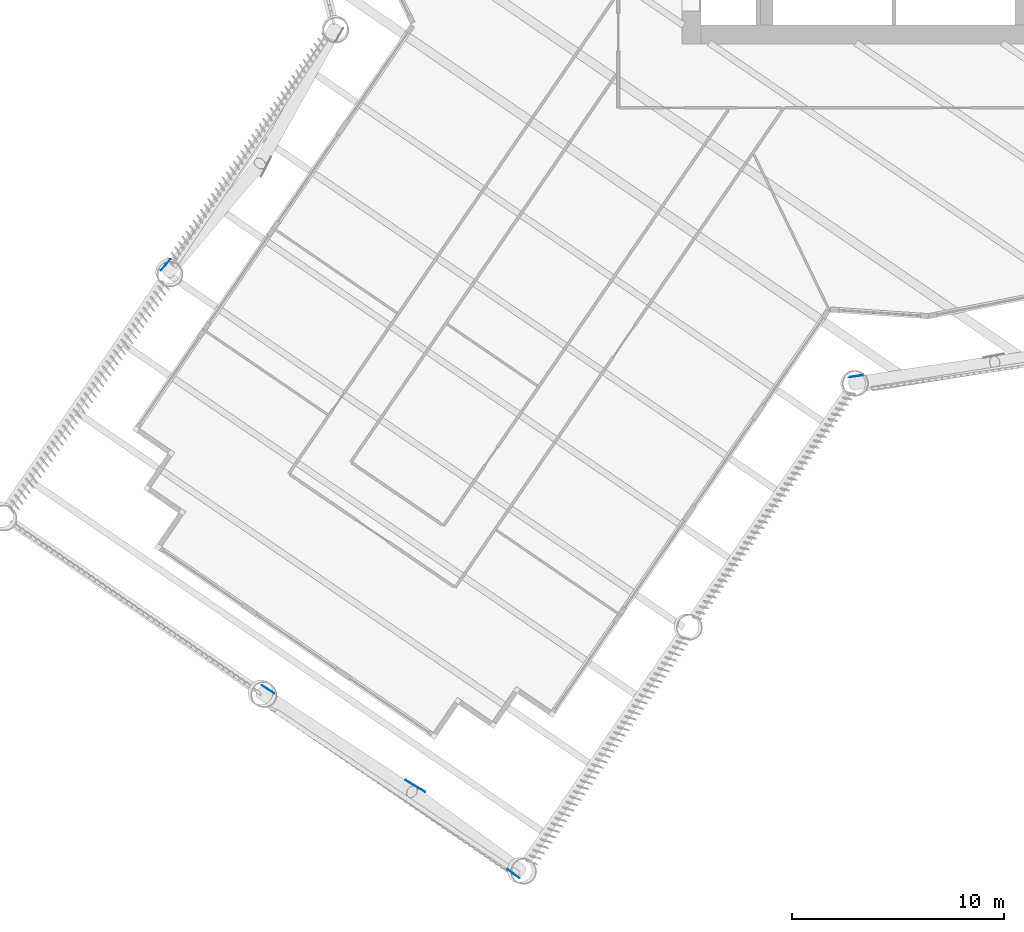
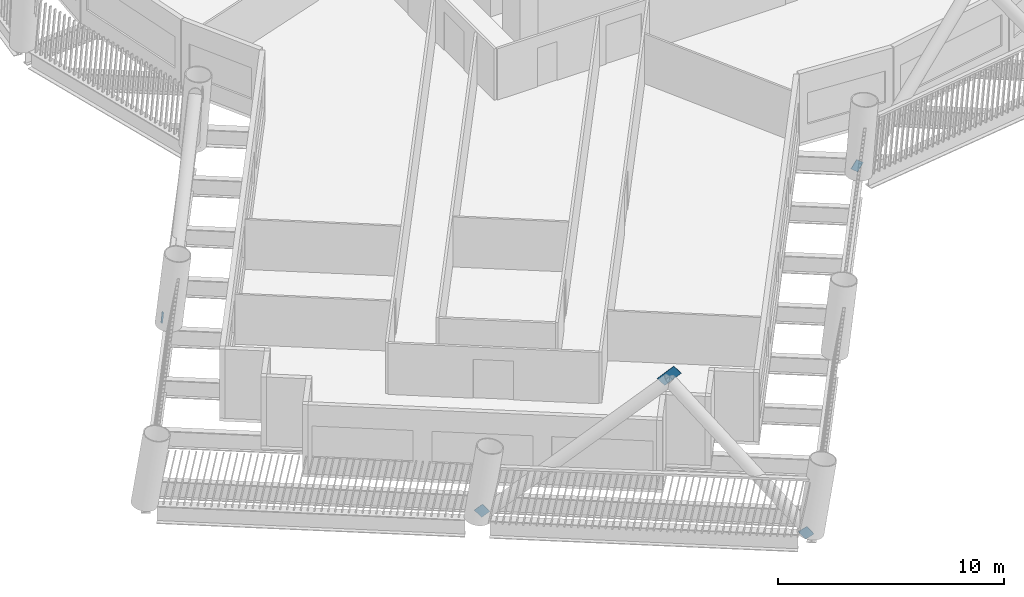
# One storey, part 8 of 22: 5 discrete accessories.
"""IFC4 building model written with IfcOpenShell, lengths in metres."""

from ifc_helpers import new_model, si_unit, direction, frame, origin, origin_2d, place, context, subcontext, project, spatial, rectangle, extrude, material, material_profile, profile_set, type_object, element, save


model = new_model("IFC4")

# Units and contexts
model_context = context("Model", 3, precision=1e-05, world=origin(), true_north=direction((0.0, 1.0)))
body_context = subcontext(model_context, "Body", "Model", "MODEL_VIEW")
ifc_project = project(units=[si_unit("LENGTHUNIT", "METRE"), si_unit("AREAUNIT", "SQUARE_METRE"), si_unit("VOLUMEUNIT", "CUBIC_METRE"), si_unit("PLANEANGLEUNIT", "RADIAN"), si_unit("MASSUNIT", "GRAM", prefix="KILO")], contexts=[model_context])

# Site, building, storey
site_placement = place(None, origin())
site = spatial("IfcSite", under=ifc_project, at=site_placement, CompositionType="ELEMENT")
building_placement = place(site_placement, origin())
building = spatial("IfcBuilding", under=site, at=building_placement, Name="Tarsis Ring Headquarters", CompositionType="ELEMENT")
storey_placement = place(building_placement, frame((0.0, 0.0, 55.60009765625)))
storey = spatial("IfcBuildingStorey", under=building, at=storey_placement, Name="L11", CompositionType="ELEMENT", Elevation=55.60009765625)

# Discrete accessories
ifc_material = material(Name="Structural steel S355", Category="steel")
ifc_material_profile = material_profile(ifc_material, rectangle(XDim=0.02490234375, YDim=0.5, at=origin_2d()), Name="PL 25x500")
ifc_profile_set = profile_set([ifc_material_profile], Name="Structural steel S355")
discrete_accessory_type = type_object("IfcDiscreteAccessoryType", Name="Gusset plate Exo brace 25", PredefinedType="BRACKET", material=ifc_profile_set)
for number, where, z_axis, x_axis, name in (
    (1, (-34.43017578125, -23.52880859375, 0.0), (0.419939646927, 0.497091349502, 0.759309477874), (-0.763898381399, 0.645336550101, 0.0), "Gusset plate GP5"),
    (2, (-29.65625, -43.30078125, 0.0), (0.616256486552, -0.404326759798, 0.675831202368), (0.548569609485, 0.836104887887, 0.0), "Gusset plate GP5"),
):
    element("IfcDiscreteAccessory", number, at=place(storey_placement, frame(where, z_axis=z_axis, x_axis=x_axis)), inside=storey, type_object=discrete_accessory_type, Name=name, PredefinedType="BRACKET", context=body_context, shape_type="SweptSolid", body=[
        extrude(rectangle(XDim=0.02490234375, YDim=0.5, at=origin_2d()), origin(), (0.0, 0.0, 1.0), 0.5),
    ])
discrete_accessory_1_placement = place(storey_placement, frame((-22.87158203125, -47.771240234375, 7.4619140625), z_axis=(0.631564957127, -0.380110799477, 0.675752532404), x_axis=(0.515664186358, 0.856790783627, 0.0)))
element("IfcDiscreteAccessory", 3, at=discrete_accessory_1_placement, inside=storey, type_object=discrete_accessory_type, Name="Gusset plate GP5", PredefinedType="BRACKET", context=body_context, shape_type="SweptSolid", body=[
    extrude(rectangle(XDim=0.02490234375, YDim=0.5, at=origin_2d()), origin(), (0.0, 0.0, 1.0), 1.0),
])
discrete_accessory_2_placement = place(storey_placement, frame((-17.8046875, -52.1845703125, 0.0), z_axis=(-0.508841595598, 0.368690407559, 0.777912343367), x_axis=(-0.586738322808, -0.809776599161, 0.0)))
element("IfcDiscreteAccessory", 4, at=discrete_accessory_2_placement, inside=storey, type_object=discrete_accessory_type, Name="Gusset plate GP5", PredefinedType="BRACKET", context=body_context, shape_type="SweptSolid", body=[
    extrude(rectangle(XDim=0.02490234375, YDim=0.5, at=origin_2d()), origin(), (0.0, 0.0, 1.0), 0.5),
])
discrete_accessory_3_placement = place(storey_placement, frame((-1.95654296875, -28.671875, 0.0), z_axis=(0.6456779404, 0.096216758138, 0.757523816612), x_axis=(-0.147389167808, 0.989078577876, 0.0)))
element("IfcDiscreteAccessory", 5, at=discrete_accessory_3_placement, inside=storey, type_object=discrete_accessory_type, Name="Gusset plate GP5", PredefinedType="BRACKET", context=body_context, shape_type="SweptSolid", body=[
    extrude(rectangle(XDim=0.02490234375, YDim=0.5, at=origin_2d()), origin(), (0.0, 0.0, 1.0), 0.499755859375),
])

save(model, "model.ifc")
